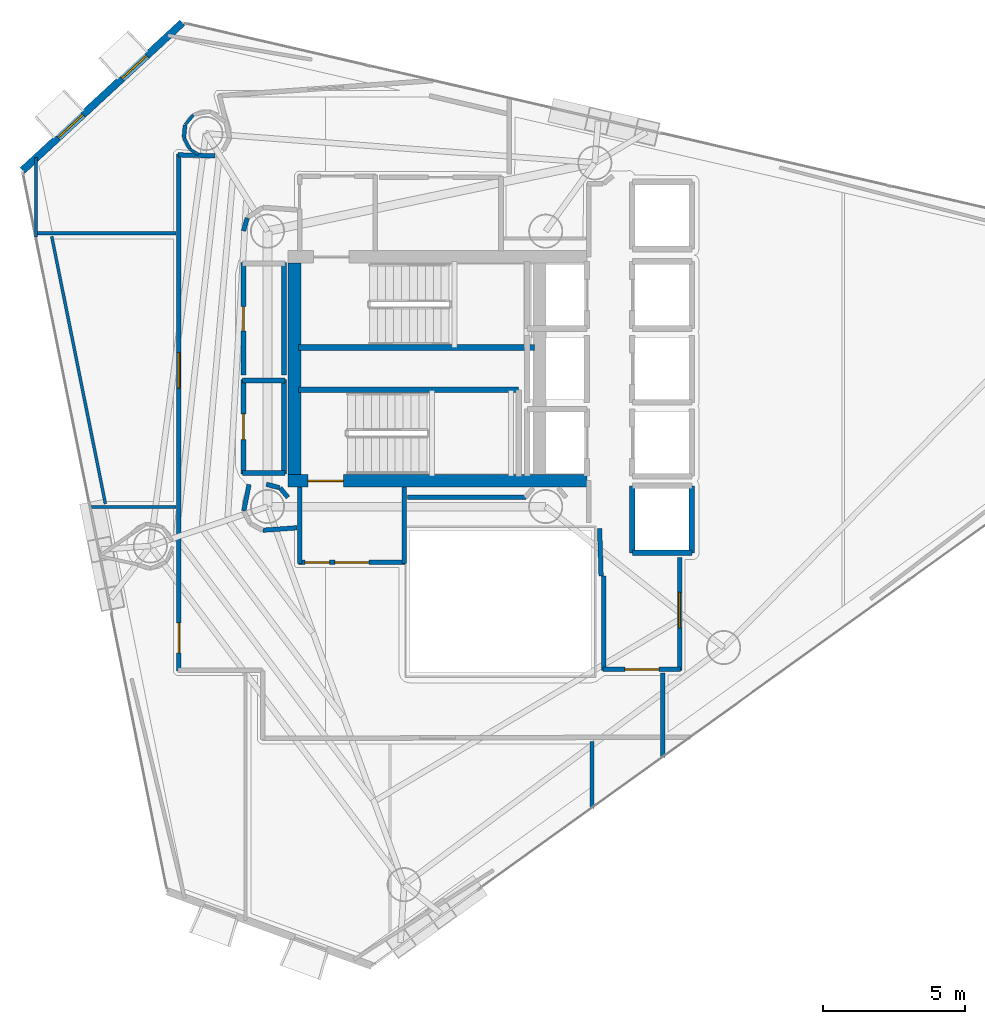
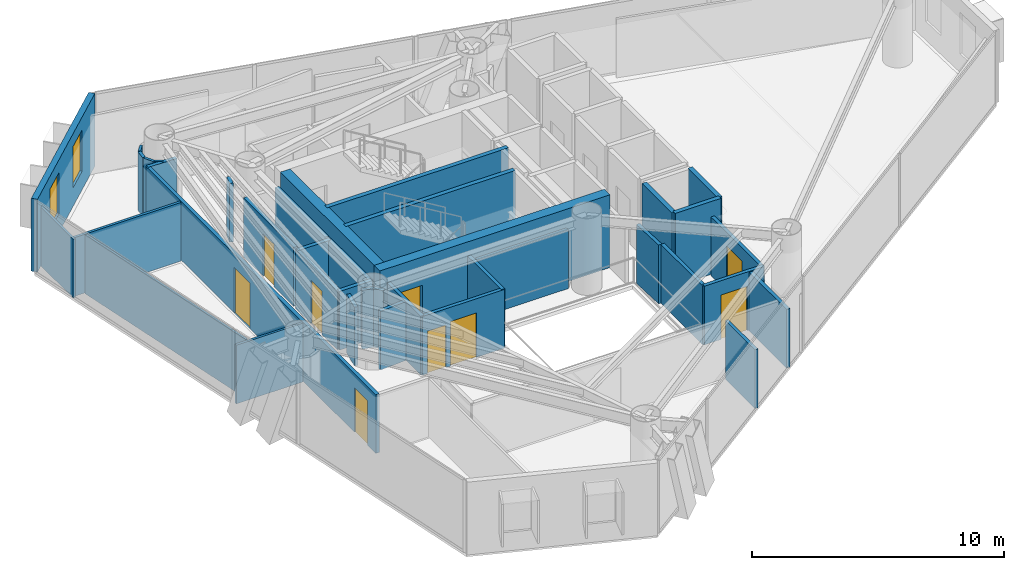
# One storey, part 17 of 22: 39 walls, 9 doors, 2 windows, 11 openings.
"""IFC4 building model written with IfcOpenShell, lengths in metres."""

from ifc_helpers import new_model, si_unit, direction, frame, frame_2d, origin, place, context, subcontext, project, spatial, rectangle, extrude, material, layer, layer_set, type_object, element, fill, save


model = new_model("IFC4")

# Units and contexts
model_context = context("Model", 3, precision=1e-05, world=origin(), true_north=direction((0.0, 1.0)))
body_context = subcontext(model_context, "Body", "Model", "MODEL_VIEW")
ifc_project = project(units=[si_unit("LENGTHUNIT", "METRE"), si_unit("AREAUNIT", "SQUARE_METRE"), si_unit("VOLUMEUNIT", "CUBIC_METRE"), si_unit("PLANEANGLEUNIT", "RADIAN"), si_unit("MASSUNIT", "GRAM", prefix="KILO")], contexts=[model_context])

# Site, building, storey
site_placement = place(None, origin())
site = spatial("IfcSite", under=ifc_project, at=site_placement, CompositionType="ELEMENT")
building_placement = place(site_placement, origin())
building = spatial("IfcBuilding", under=site, at=building_placement, Name="Qianvela Tower", CompositionType="ELEMENT")
storey_placement = place(building_placement, frame((0.0, 0.0, 200.300048828125)))
storey = spatial("IfcBuildingStorey", under=building, at=storey_placement, Name="L51", CompositionType="ELEMENT", Elevation=200.300048828125)

# Wall, openings, windows
ifc_material_1 = material(Name="Terracotta Cladding on Concrete C40", Category="masonry")
ifc_layer_1 = layer(ifc_material_1, 0.260009765625)
ifc_layer_set_1 = layer_set([ifc_layer_1], Name="Terracotta Cladding on Concrete C40")
wall_type_1 = type_object("IfcWallType", Name="TERRACOTTA-WALL-260", PredefinedType="SOLIDWALL", material=ifc_layer_set_1)
wall_1_placement = place(storey_placement, frame((25.60107421875, 40.89306640625, 0.0), z_axis=(0.0, 0.0, 1.0), x_axis=(-0.734371177533, -0.678748092896, 0.0)))
wall_1 = element("IfcWall", 1, at=wall_1_placement, inside=storey, type_object=wall_type_1, Name="L51 Terracotta Chamfer Facet Wall 3", PredefinedType="SOLIDWALL", context=body_context, shape_type="SweptSolid", body=[
    extrude(rectangle(XDim=7.66796875, YDim=0.260009765625, at=frame_2d((3.833984375, 0.0))), origin(), (0.0, 0.0, 1.0), 3.52001953125),
])
opening_1_placement = place(wall_1_placement, frame((1.700439453125, 0.0, 0.89990234375)))
opening_1 = element("IfcOpeningElement", 2, at=opening_1_placement, cuts=wall_1, Name="Opening W-03", PredefinedType="OPENING", context=body_context, shape_type="SweptSolid", body=[
    extrude(rectangle(XDim=1.199951171875, YDim=2.0, at=frame_2d((0.60009765625, 1.0))), frame((0.0, 0.139892578125, 0.0), z_axis=(0.0, -1.0, 0.0), x_axis=(1.0, 0.0, 0.0)), (0.0, 0.0, 1.0), 0.280029296875),
])
opening_2_placement = place(wall_1_placement, frame((4.767578125, 0.0, 0.89990234375)))
opening_2 = element("IfcOpeningElement", 3, at=opening_2_placement, cuts=wall_1, Name="Opening W-03", PredefinedType="OPENING", context=body_context, shape_type="SweptSolid", body=[
    extrude(rectangle(XDim=1.199951171875, YDim=2.0, at=frame_2d((0.60009765625, 1.0))), frame((0.0, 0.139892578125, 0.0), z_axis=(0.0, -1.0, 0.0), x_axis=(1.0, 0.0, 0.0)), (0.0, 0.0, 1.0), 0.280029296875),
])
ifc_material_2 = material(Name="Thermally Broken Aluminium and Low-E Glass", Category="aluminium")
window_type = type_object("IfcWindowType", Name="WIN-TC-1200x2000", PartitioningType="SINGLE_PANEL", PredefinedType="WINDOW", material=ifc_material_2)
window_1_placement = place(opening_1_placement, origin())
window_1 = element("IfcWindow", 4, at=window_1_placement, inside=storey, type_object=window_type, Name="L51 Chamfer Facet Window 3.1", OverallHeight=2.0, OverallWidth=1.199951171875, PartitioningType="SINGLE_PANEL", PredefinedType="WINDOW", context=body_context, shape_type="SweptSolid", body=[
    extrude(rectangle(XDim=1.199951171875, YDim=2.0, at=frame_2d((0.60009765625, 1.0))), frame((0.0, 0.030029296875, 0.0), z_axis=(0.0, -1.0, 0.0), x_axis=(1.0, 0.0, 0.0)), (0.0, 0.0, 1.0), 0.06005859375),
])
fill(opening_1, window_1)
window_2_placement = place(opening_2_placement, origin())
window_2 = element("IfcWindow", 5, at=window_2_placement, inside=storey, type_object=window_type, Name="L51 Chamfer Facet Window 3.2", OverallHeight=2.0, OverallWidth=1.199951171875, PartitioningType="SINGLE_PANEL", PredefinedType="WINDOW", context=body_context, shape_type="SweptSolid", body=[
    extrude(rectangle(XDim=1.199951171875, YDim=2.0, at=frame_2d((0.60009765625, 1.0))), frame((0.0, 0.030029296875, 0.0), z_axis=(0.0, -1.0, 0.0), x_axis=(1.0, 0.0, 0.0)), (0.0, 0.0, 1.0), 0.06005859375),
])
fill(opening_2, window_2)

# Wall, opening, door
ifc_material_3 = material(Name="Concrete C50", Category="concrete")
ifc_layer_2 = layer(ifc_material_3, 0.449951171875)
ifc_layer_set_2 = layer_set([ifc_layer_2], Name="Concrete C50")
wall_type_2 = type_object("IfcWallType", Name="WT-CORE-450", PredefinedType="SHEAR", material=ifc_layer_set_2)
wall_2_placement = place(storey_placement, frame((29.330078125, 24.7548828125, 0.0), z_axis=(0.0, 0.0, 1.0), x_axis=(1.0, 0.0, 0.0)))
wall_2 = element("IfcWall", 6, at=wall_2_placement, inside=storey, type_object=wall_type_2, Name="L51 South Core Shear Wall", PredefinedType="SHEAR", context=body_context, shape_type="SweptSolid", body=[
    extrude(rectangle(XDim=10.52001953125, YDim=0.449951171875, at=frame_2d((5.260009765625, 0.0))), origin(), (0.0, 0.0, 1.0), 3.52001953125),
])
opening_3_placement = place(wall_2_placement, frame((0.695068359375, 0.0, 0.0)))
opening_3 = element("IfcOpeningElement", 7, at=opening_3_placement, cuts=wall_2, Name="Opening D-ST1", PredefinedType="OPENING", context=body_context, shape_type="SweptSolid", body=[
    extrude(rectangle(XDim=1.25, YDim=2.14990234375, at=frame_2d((0.625, 1.074951171875))), frame((0.0, 0.23486328125, 0.0), z_axis=(0.0, -1.0, 0.0), x_axis=(1.0, 0.0, 0.0)), (0.0, 0.0, 1.0), 0.469970703125),
])
ifc_material_4 = material(Name="Galvanised Fire Steel Q355B", Category="steel")
door_type_1 = type_object("IfcDoorType", Name="DT-STAIR-FD90", OperationType="NOTDEFINED", PredefinedType="DOOR", material=ifc_material_4)
door_1_placement = place(opening_3_placement, origin())
door_1 = element("IfcDoor", 8, at=door_1_placement, inside=storey, type_object=door_type_1, Name="L51 Stair ST-2 Exit Door", OperationType="SINGLE_SWING_RIGHT", OverallHeight=2.14990234375, OverallWidth=1.25, PredefinedType="DOOR", context=body_context, shape_type="SweptSolid", body=[
    extrude(rectangle(XDim=1.25, YDim=2.14990234375, at=frame_2d((0.625, 1.074951171875))), frame((0.0, 0.02490234375, 0.0), z_axis=(0.0, -1.0, 0.0), x_axis=(1.0, 0.0, 0.0)), (0.0, 0.0, 1.0), 0.050048828125),
])
fill(opening_3, door_1)

# Wall
wall_3_placement = place(storey_placement, frame((29.554931640625, 24.97998046875, 0.0), z_axis=(0.0, 0.0, 1.0), x_axis=(0.0, 1.0, 0.0)))
element("IfcWall", 9, at=wall_3_placement, inside=storey, type_object=wall_type_2, Name="L51 West Core Shear Wall", PredefinedType="SHEAR", context=body_context, shape_type="SweptSolid", body=[
    extrude(rectangle(XDim=7.43994140625, YDim=0.449951171875, at=frame_2d((3.719970703125, 0.0))), origin(), (0.0, 0.0, 1.0), 3.52001953125),
])

# Wall, openings, doors
ifc_material_5 = material(Name="Fire-Rated Gypsum and Concrete Block", Category="concrete")
ifc_layer_3 = layer(ifc_material_5, 0.159912109375)
ifc_layer_set_3 = layer_set([ifc_layer_3], Name="Fire-Rated Gypsum and Concrete Block")
wall_type_3 = type_object("IfcWallType", Name="WT-CORR-160", PredefinedType="PARTITIONING", material=ifc_layer_set_3)
wall_4_placement = place(storey_placement, frame((33.449951171875, 21.881103515625, 0.0), z_axis=(0.0, 0.0, 1.0), x_axis=(-1.0, 0.0, 0.0)))
wall_4 = element("IfcWall", 10, at=wall_4_placement, inside=storey, type_object=wall_type_3, Name="L51 Partition 5", PredefinedType="PARTITIONING", context=body_context, shape_type="SweptSolid", body=[
    extrude(rectangle(XDim=3.75, YDim=0.159912109375, at=frame_2d((1.875, 0.0))), origin(), (0.0, 0.0, 1.0), 2.83984375),
])
opening_4_placement = place(wall_4_placement, frame((1.27490234375, 0.0, 0.0)))
opening_4 = element("IfcOpeningElement", 11, at=opening_4_placement, cuts=wall_4, Name="Opening D-LB1", PredefinedType="OPENING", context=body_context, shape_type="SweptSolid", body=[
    extrude(rectangle(XDim=1.199951171875, YDim=2.14990234375, at=frame_2d((0.60009765625, 1.074951171875))), frame((0.0, 0.08984375, 0.0), z_axis=(0.0, -1.0, 0.0), x_axis=(1.0, 0.0, 0.0)), (0.0, 0.0, 1.0), 0.179931640625),
])
opening_5_placement = place(wall_4_placement, frame((2.659912109375, 0.0, 0.0)))
opening_5 = element("IfcOpeningElement", 12, at=opening_5_placement, cuts=wall_4, Name="Opening D-LB2", PredefinedType="OPENING", context=body_context, shape_type="SweptSolid", body=[
    extrude(rectangle(XDim=0.860107421875, YDim=2.050048828125, at=frame_2d((0.43017578125, 1.02490234375))), frame((0.0, 0.08984375, 0.0), z_axis=(0.0, -1.0, 0.0), x_axis=(1.0, 0.0, 0.0)), (0.0, 0.0, 1.0), 0.179931640625),
])
ifc_material_6 = material(Name="Glazed Fire-Rated Steel Frame", Category="steel")
door_type_2 = type_object("IfcDoorType", Name="DT-LOBBY-FD90", OperationType="NOTDEFINED", PredefinedType="DOOR", material=ifc_material_6)
door_2_placement = place(opening_4_placement, origin())
door_2 = element("IfcDoor", 13, at=door_2_placement, inside=storey, type_object=door_type_2, Name="L51 Door L51 Firefighting Lobby South to L51 Floor Corridor", OperationType="SINGLE_SWING_LEFT", OverallHeight=2.14990234375, OverallWidth=1.199951171875, PredefinedType="DOOR", context=body_context, shape_type="SweptSolid", body=[
    extrude(rectangle(XDim=1.199951171875, YDim=2.14990234375, at=frame_2d((0.60009765625, 1.074951171875))), frame((0.0, 0.02490234375, 0.0), z_axis=(0.0, -1.0, 0.0), x_axis=(1.0, 0.0, 0.0)), (0.0, 0.0, 1.0), 0.050048828125),
])
fill(opening_4, door_2)
ifc_material_7 = material(Name="Insulated Steel Fire Door Q355B", Category="steel")
door_type_3 = type_object("IfcDoorType", Name="DT-LOBBY-FD90-860", OperationType="NOTDEFINED", PredefinedType="DOOR", material=ifc_material_7)
door_3_placement = place(opening_5_placement, origin())
door_3 = element("IfcDoor", 14, at=door_3_placement, inside=storey, type_object=door_type_3, Name="L51 Door L51 Firefighting Lobby South to L51 Floor Corridor", OperationType="SINGLE_SWING_RIGHT", OverallHeight=2.050048828125, OverallWidth=0.860107421875, PredefinedType="DOOR", context=body_context, shape_type="SweptSolid", body=[
    extrude(rectangle(XDim=0.860107421875, YDim=2.050048828125, at=frame_2d((0.43017578125, 1.02490234375))), frame((0.0, 0.02490234375, 0.0), z_axis=(0.0, -1.0, 0.0), x_axis=(1.0, 0.0, 0.0)), (0.0, 0.0, 1.0), 0.050048828125),
])
fill(opening_5, door_3)

# Walls
for number, where, z_axis, x_axis, name in (
    (15, (29.73095703125, 21.85009765625, 0.0), (0.0, 0.0, 1.0), (0.0, 1.0, 0.0), "L51 Partition 6"),
    (16, (33.4189453125, 24.5419921875, 0.0), (0.0, 0.0, 1.0), (0.0, -1.0, 0.0), "L51 Partition 8"),
):
    element("IfcWall", number, at=place(storey_placement, frame(where, z_axis=z_axis, x_axis=x_axis)), inside=storey, type_object=wall_type_3, Name=name, PredefinedType="PARTITIONING", context=body_context, shape_type="SweptSolid", body=[
        extrude(rectangle(XDim=2.69189453125, YDim=0.159912109375, at=frame_2d((1.345947265625, 0.0))), origin(), (0.0, 0.0, 1.0), 2.83984375),
    ])
wall_5_placement = place(storey_placement, frame((40.35107421875, 21.40087890625, 0.0), z_axis=(0.0, 0.0, 1.0), x_axis=(-0.031058045979, 0.999517582527, 0.0)))
element("IfcWall", 17, at=wall_5_placement, inside=storey, type_object=wall_type_3, Name="L51 Partition 9", PredefinedType="PARTITIONING", context=body_context, shape_type="SweptSolid", body=[
    extrude(rectangle(XDim=1.68212890625, YDim=0.159912109375, at=frame_2d((0.841064453125, 0.0))), origin(), (0.0, 0.0, 1.0), 2.83984375),
])

# Wall, opening, door
wall_6_placement = place(storey_placement, frame((43.118896484375, 22.050048828125, 0.0), z_axis=(0.0, 0.0, 1.0), x_axis=(0.0, -1.0, 0.0)))
wall_6 = element("IfcWall", 18, at=wall_6_placement, inside=storey, type_object=wall_type_3, Name="L51 Partition 17", PredefinedType="PARTITIONING", context=body_context, shape_type="SweptSolid", body=[
    extrude(rectangle(XDim=3.969970703125, YDim=0.159912109375, at=frame_2d((1.98486328125, 0.0))), origin(), (0.0, 0.0, 1.0), 2.83984375),
])
opening_6_placement = place(wall_6_placement, frame((1.219970703125, 0.0, 0.0)))
opening_6 = element("IfcOpeningElement", 19, at=opening_6_placement, cuts=wall_6, Name="Opening D-LG1", PredefinedType="OPENING", context=body_context, shape_type="SweptSolid", body=[
    extrude(rectangle(XDim=1.25, YDim=2.199951171875, at=frame_2d((0.625, 1.10009765625))), frame((0.0, 0.08984375, 0.0), z_axis=(0.0, -1.0, 0.0), x_axis=(1.0, 0.0, 0.0)), (0.0, 0.0, 1.0), 0.179931640625),
])
ifc_material_8 = material(Name="Anodised Aluminium Acoustic Glass Door", Category="aluminium")
door_type_4 = type_object("IfcDoorType", Name="DT-LOUNGE-1250", OperationType="NOTDEFINED", PredefinedType="DOOR", material=ifc_material_8)
door_4_placement = place(opening_6_placement, origin())
door_4 = element("IfcDoor", 20, at=door_4_placement, inside=storey, type_object=door_type_4, Name="L51 Door Collaborative Co-working Office L51-02 to L51 Lift Lobby", OperationType="SINGLE_SWING_LEFT", OverallHeight=2.199951171875, OverallWidth=1.25, PredefinedType="DOOR", context=body_context, shape_type="SweptSolid", body=[
    extrude(rectangle(XDim=1.25, YDim=2.199951171875, at=frame_2d((0.625, 1.10009765625))), frame((0.0, 0.02490234375, 0.0), z_axis=(0.0, -1.0, 0.0), x_axis=(1.0, 0.0, 0.0)), (0.0, 0.0, 1.0), 0.050048828125),
])
fill(opening_6, door_4)

wall_7_placement = place(storey_placement, frame((43.14990234375, 18.111083984375, 0.0), z_axis=(0.0, 0.0, 1.0), x_axis=(-1.0, 0.0, 0.0)))
wall_7 = element("IfcWall", 21, at=wall_7_placement, inside=storey, type_object=wall_type_3, Name="L51 Partition 18", PredefinedType="PARTITIONING", context=body_context, shape_type="SweptSolid", body=[
    extrude(rectangle(XDim=2.72998046875, YDim=0.159912109375, at=frame_2d((1.364990234375, 0.0))), origin(), (0.0, 0.0, 1.0), 2.83984375),
])
opening_7_placement = place(wall_7_placement, frame((0.764892578125, 0.0, 0.0)))
opening_7 = element("IfcOpeningElement", 22, at=opening_7_placement, cuts=wall_7, Name="Opening D-LB1", PredefinedType="OPENING", context=body_context, shape_type="SweptSolid", body=[
    extrude(rectangle(XDim=1.199951171875, YDim=2.14990234375, at=frame_2d((0.60009765625, 1.074951171875))), frame((0.0, 0.08984375, 0.0), z_axis=(0.0, -1.0, 0.0), x_axis=(1.0, 0.0, 0.0)), (0.0, 0.0, 1.0), 0.179931640625),
])
door_5_placement = place(opening_7_placement, origin())
door_5 = element("IfcDoor", 23, at=door_5_placement, inside=storey, type_object=door_type_2, Name="L51 Door L51 Lift Lobby to L51 Floor Corridor", OperationType="SINGLE_SWING_RIGHT", OverallHeight=2.14990234375, OverallWidth=1.199951171875, PredefinedType="DOOR", context=body_context, shape_type="SweptSolid", body=[
    extrude(rectangle(XDim=1.199951171875, YDim=2.14990234375, at=frame_2d((0.60009765625, 1.074951171875))), frame((0.0, 0.02490234375, 0.0), z_axis=(0.0, -1.0, 0.0), x_axis=(1.0, 0.0, 0.0)), (0.0, 0.0, 1.0), 0.050048828125),
])
fill(opening_7, door_5)

# Walls
wall_8_placement = place(storey_placement, frame((40.450927734375, 18.080078125, 0.0), z_axis=(0.0, 0.0, 1.0), x_axis=(0.0, 1.0, 0.0)))
element("IfcWall", 24, at=wall_8_placement, inside=storey, type_object=wall_type_3, Name="L51 Partition 19 seg 1", PredefinedType="PARTITIONING", context=body_context, shape_type="SweptSolid", body=[
    extrude(rectangle(XDim=3.31982421875, YDim=0.159912109375, at=frame_2d((1.659912109375, 0.0))), origin(), (0.0, 0.0, 1.0), 2.83984375),
])
wall_9_placement = place(storey_placement, frame((29.321044921875, 24.169921875, 0.0), z_axis=(0.0, 0.0, 1.0), x_axis=(-0.638008265708, 0.770029514296, 0.0)))
element("IfcWall", 25, at=wall_9_placement, inside=storey, type_object=wall_type_3, Name="L51 Partition 36", PredefinedType="PARTITIONING", context=body_context, shape_type="SweptSolid", body=[
    extrude(rectangle(XDim=0.430908203125, YDim=0.159912109375, at=frame_2d((0.21533203125, 0.0))), origin(), (0.0, 0.0, 1.0), 2.83984375),
])
wall_10_placement = place(storey_placement, frame((29.030029296875, 24.511962890625, 0.0), z_axis=(0.0, 0.0, 1.0), x_axis=(-0.967681003213, 0.252177469296, 0.0)))
element("IfcWall", 26, at=wall_10_placement, inside=storey, type_object=wall_type_3, Name="L51 Partition 37", PredefinedType="PARTITIONING", context=body_context, shape_type="SweptSolid", body=[
    extrude(rectangle(XDim=0.488037109375, YDim=0.159912109375, at=frame_2d((0.244140625, 0.0))), origin(), (0.0, 0.0, 1.0), 2.83984375),
])
wall_11_placement = place(storey_placement, frame((37.70263671875, 24.180908203125, 0.0), z_axis=(0.0, 0.0, 1.0), x_axis=(-1.0, 0.0, 0.0)))
element("IfcWall", 27, at=wall_11_placement, inside=storey, type_object=wall_type_3, Name="L51 Partition 49", PredefinedType="PARTITIONING", context=body_context, shape_type="SweptSolid", body=[
    extrude(rectangle(XDim=4.172607421875, YDim=0.159912109375, at=frame_2d((2.08642578125, 0.0))), origin(), (0.0, 0.0, 1.0), 2.83984375),
])
wall_12_placement = place(storey_placement, frame((27.888427734375, 34.0146484375, 0.0), z_axis=(0.0, 0.0, 1.0), x_axis=(-0.290263585829, -0.956946733492, 0.0)))
element("IfcWall", 28, at=wall_12_placement, inside=storey, type_object=wall_type_3, Name="L51 Partition 58", PredefinedType="PARTITIONING", context=body_context, shape_type="SweptSolid", body=[
    extrude(rectangle(XDim=0.47607421875, YDim=0.159912109375, at=frame_2d((0.238037109375, 0.0))), origin(), (0.0, 0.0, 1.0), 2.83984375),
])
wall_13_placement = place(storey_placement, frame((27.950439453125, 24.626220703125, 0.0), z_axis=(0.0, 0.0, 1.0), x_axis=(-0.195125950178, -0.980778192848, 0.0)))
element("IfcWall", 29, at=wall_13_placement, inside=storey, type_object=wall_type_3, Name="L51 Partition 62", PredefinedType="PARTITIONING", context=body_context, shape_type="SweptSolid", body=[
    extrude(rectangle(XDim=0.948486328125, YDim=0.159912109375, at=frame_2d((0.47412109375, 0.0))), origin(), (0.0, 0.0, 1.0), 2.83984375),
])
wall_14_placement = place(storey_placement, frame((28.4423828125, 23.014892578125, 0.0), z_axis=(0.0, 0.0, 1.0), x_axis=(0.99740683837, 0.07196942943, 0.0)))
element("IfcWall", 30, at=wall_14_placement, inside=storey, type_object=wall_type_3, Name="L51 Partition 65", PredefinedType="PARTITIONING", context=body_context, shape_type="SweptSolid", body=[
    extrude(rectangle(XDim=1.200927734375, YDim=0.159912109375, at=frame_2d((0.6005859375, 0.0))), origin(), (0.0, 0.0, 1.0), 2.83984375),
])
wall_15_placement = place(storey_placement, frame((42.51904296875, 17.97998046875, 0.0), z_axis=(0.0, 0.0, 1.0), x_axis=(0.0, -1.0, 0.0)))
element("IfcWall", 31, at=wall_15_placement, inside=storey, type_object=wall_type_3, Name="L51 Partition 69", PredefinedType="PARTITIONING", context=body_context, shape_type="SweptSolid", body=[
    extrude(rectangle(XDim=2.969482421875, YDim=0.159912109375, at=frame_2d((1.48486328125, 0.0))), origin(), (0.0, 0.0, 1.0), 2.83984375),
])

# Wall, openings, doors
wall_16_placement = place(storey_placement, frame((25.48095703125, 18.050048828125, 0.0), z_axis=(0.0, 0.0, 1.0), x_axis=(0.0, 1.0, 0.0)))
wall_16 = element("IfcWall", 32, at=wall_16_placement, inside=storey, type_object=wall_type_3, Name="L51 Partition 73", PredefinedType="PARTITIONING", context=body_context, shape_type="SweptSolid", body=[
    extrude(rectangle(XDim=18.218505859375, YDim=0.159912109375, at=frame_2d((9.109375, 0.0))), origin(), (0.0, 0.0, 1.0), 2.83984375),
])
opening_8_placement = place(wall_16_placement, frame((0.6494140625, 0.0, 0.0)))
opening_8 = element("IfcOpeningElement", 33, at=opening_8_placement, cuts=wall_16, Name="Opening D-PL1", PredefinedType="OPENING", context=body_context, shape_type="SweptSolid", body=[
    extrude(rectangle(XDim=1.050048828125, YDim=2.14990234375, at=frame_2d((0.52490234375, 1.074951171875))), frame((0.0, 0.08984375, 0.0), z_axis=(0.0, -1.0, 0.0), x_axis=(1.0, 0.0, 0.0)), (0.0, 0.0, 1.0), 0.179931640625),
])
opening_9_placement = place(wall_16_placement, frame((9.97509765625, 0.0, 0.0)))
opening_9 = element("IfcOpeningElement", 34, at=opening_9_placement, cuts=wall_16, Name="Opening D-LG1", PredefinedType="OPENING", context=body_context, shape_type="SweptSolid", body=[
    extrude(rectangle(XDim=1.25, YDim=2.199951171875, at=frame_2d((0.625, 1.10009765625))), frame((0.0, 0.08984375, 0.0), z_axis=(0.0, -1.0, 0.0), x_axis=(1.0, 0.0, 0.0)), (0.0, 0.0, 1.0), 0.179931640625),
])
door_6_placement = place(opening_9_placement, origin())
door_6 = element("IfcDoor", 35, at=door_6_placement, inside=storey, type_object=door_type_4, Name="L51 Door Quiet Reading Study L51-04 to L51 Floor Corridor", OperationType="SINGLE_SWING_LEFT", OverallHeight=2.199951171875, OverallWidth=1.25, PredefinedType="DOOR", context=body_context, shape_type="SweptSolid", body=[
    extrude(rectangle(XDim=1.25, YDim=2.199951171875, at=frame_2d((0.625, 1.10009765625))), frame((0.0, 0.02490234375, 0.0), z_axis=(0.0, -1.0, 0.0), x_axis=(1.0, 0.0, 0.0)), (0.0, 0.0, 1.0), 0.050048828125),
])
fill(opening_9, door_6)
ifc_material_9 = material(Name="Insulated Steel Fire Door Q355B", Category="steel")
door_type_5 = type_object("IfcDoorType", Name="DT-PLANT-FD90", OperationType="NOTDEFINED", PredefinedType="DOOR", material=ifc_material_9)
door_7_placement = place(opening_8_placement, origin())
door_7 = element("IfcDoor", 36, at=door_7_placement, inside=storey, type_object=door_type_5, Name="L51 Door Digital Research Office L51-01 to L51 Floor Corridor", OperationType="SINGLE_SWING_RIGHT", OverallHeight=2.14990234375, OverallWidth=1.050048828125, PredefinedType="DOOR", context=body_context, shape_type="SweptSolid", body=[
    extrude(rectangle(XDim=1.050048828125, YDim=2.14990234375, at=frame_2d((0.52490234375, 1.074951171875))), frame((0.0, 0.02490234375, 0.0), z_axis=(0.0, -1.0, 0.0), x_axis=(1.0, 0.0, 0.0)), (0.0, 0.0, 1.0), 0.050048828125),
])
fill(opening_8, door_7)

# Walls
wall_17_placement = place(storey_placement, frame((25.44921875, 36.237548828125, 0.0), z_axis=(0.0, 0.0, 1.0), x_axis=(0.999651698073, -0.026390955635, 0.0)))
element("IfcWall", 37, at=wall_17_placement, inside=storey, type_object=wall_type_3, Name="L51 Partition 74", PredefinedType="PARTITIONING", context=body_context, shape_type="SweptSolid", body=[
    extrude(rectangle(XDim=1.295166015625, YDim=0.159912109375, at=frame_2d((0.6474609375, 0.0))), origin(), (0.0, 0.0, 1.0), 2.83984375),
])
ifc_material_10 = material(Name="Lightweight Gypsum Room Partition")
ifc_layer_4 = layer(ifc_material_10, 0.10498046875)
ifc_layer_set_4 = layer_set([ifc_layer_4], Name="Lightweight Gypsum Room Partition")
wall_type_4 = type_object("IfcWallType", Name="WT-PART-105", PredefinedType="PARTITIONING", material=ifc_layer_set_4)
wall_18_placement = place(storey_placement, frame((22.3330078125, 23.826904296875, 0.0), z_axis=(0.0, 0.0, 1.0), x_axis=(1.0, 0.0, 0.0)))
element("IfcWall", 38, at=wall_18_placement, inside=storey, type_object=wall_type_4, Name="L51 Partition 89", PredefinedType="PARTITIONING", context=body_context, shape_type="SweptSolid", body=[
    extrude(rectangle(XDim=3.037109375, YDim=0.10498046875, at=frame_2d((1.5185546875, 0.0))), origin(), (0.0, 0.0, 1.0), 2.83984375),
])
wall_19_placement = place(storey_placement, frame((25.98486328125, 37.6435546875, 0.0), z_axis=(0.0, 0.0, 1.0), x_axis=(-0.634562438402, -0.772871601088, 0.0)))
element("IfcWall", 39, at=wall_19_placement, inside=storey, type_object=wall_type_4, Name="L51 Partition 113", PredefinedType="PARTITIONING", context=body_context, shape_type="SweptSolid", body=[
    extrude(rectangle(XDim=0.44140625, YDim=0.10498046875, at=frame_2d((0.220703125, 0.0))), origin(), (0.0, 0.0, 1.0), 2.83984375),
])
wall_20_placement = place(storey_placement, frame((25.87744140625, 36.42822265625, 0.0), z_axis=(0.0, 0.0, 1.0), x_axis=(0.852322728649, -0.523016219853, 0.0)))
element("IfcWall", 40, at=wall_20_placement, inside=storey, type_object=wall_type_4, Name="L51 Partition 116", PredefinedType="PARTITIONING", context=body_context, shape_type="SweptSolid", body=[
    extrude(rectangle(XDim=0.34033203125, YDim=0.10498046875, at=frame_2d((0.170166015625, 0.0))), origin(), (0.0, 0.0, 1.0), 2.83984375),
])
wall_21_placement = place(storey_placement, frame((20.44189453125, 33.339599609375, 0.0), z_axis=(0.0, 0.0, 1.0), x_axis=(-0.000608960305, 0.999999814584, 0.0)))
element("IfcWall", 41, at=wall_21_placement, inside=storey, type_object=wall_type_4, Name="L51 Partition 119", PredefinedType="PARTITIONING", context=body_context, shape_type="SweptSolid", body=[
    extrude(rectangle(XDim=2.806396484375, YDim=0.10498046875, at=frame_2d((1.4033203125, 0.0))), origin(), (0.0, 0.0, 1.0), 2.83984375),
])
wall_22_placement = place(storey_placement, frame((22.890869140625, 23.947998046875, 0.0), z_axis=(0.0, 0.0, 1.0), x_axis=(-0.196981324141, 0.980407240865, 0.0)))
element("IfcWall", 42, at=wall_22_placement, inside=storey, type_object=wall_type_4, Name="L51 Partition 125", PredefinedType="PARTITIONING", context=body_context, shape_type="SweptSolid", body=[
    extrude(rectangle(XDim=9.604248046875, YDim=0.10498046875, at=frame_2d((4.80224609375, 0.0))), origin(), (0.0, 0.0, 1.0), 2.83984375),
])
ifc_material_11 = material(Name="Insulated Gypsum Stud Partition")
ifc_layer_5 = layer(ifc_material_11, 0.1201171875)
ifc_layer_set_5 = layer_set([ifc_layer_5], Name="Insulated Gypsum Stud Partition")
wall_type_5 = type_object("IfcWallType", Name="WT-PART-120", PredefinedType="PARTITIONING", material=ifc_layer_set_5)
wall_23_placement = place(storey_placement, frame((25.658203125, 36.8291015625, 0.0), z_axis=(0.0, 0.0, 1.0), x_axis=(0.471392110461, -0.881923737177, 0.0)))
element("IfcWall", 43, at=wall_23_placement, inside=storey, type_object=wall_type_5, Name="L51 Partition 115", PredefinedType="PARTITIONING", context=body_context, shape_type="SweptSolid", body=[
    extrude(rectangle(XDim=0.441162109375, YDim=0.1201171875, at=frame_2d((0.220703125, 0.0))), origin(), (0.0, 0.0, 1.0), 2.83984375),
])
wall_24_placement = place(storey_placement, frame((25.3701171875, 33.472900390625, 0.0), z_axis=(0.0, 0.0, 1.0), x_axis=(-1.0, 0.0, 0.0)))
element("IfcWall", 44, at=wall_24_placement, inside=storey, type_object=wall_type_5, Name="L51 Partition 118", PredefinedType="PARTITIONING", context=body_context, shape_type="SweptSolid", body=[
    extrude(rectangle(XDim=4.97509765625, YDim=0.1201171875, at=frame_2d((2.487548828125, 0.0))), origin(), (0.0, 0.0, 1.0), 2.83984375),
])

# Wall, opening, door
ifc_material_12 = material(Name="Moisture-Resistant Acoustic Plumbing Wall")
ifc_layer_6 = layer(ifc_material_12, 0.175048828125)
ifc_layer_set_6 = layer_set([ifc_layer_6], Name="Moisture-Resistant Acoustic Plumbing Wall")
wall_type_6 = type_object("IfcWallType", Name="WT-PLUMB-175", PredefinedType="PLUMBINGWALL", material=ifc_layer_set_6)
wall_25_placement = place(storey_placement, frame((27.7509765625, 25.0, 0.0), z_axis=(0.0, 0.0, 1.0), x_axis=(0.0, 1.0, 0.0)))
wall_25 = element("IfcWall", 45, at=wall_25_placement, inside=storey, type_object=wall_type_6, Name="L51 Partition 24", PredefinedType="PLUMBINGWALL", context=body_context, shape_type="SweptSolid", body=[
    extrude(rectangle(XDim=3.320068359375, YDim=0.175048828125, at=frame_2d((1.66015625, 0.0))), origin(), (0.0, 0.0, 1.0), 2.83984375),
])
opening_10_placement = place(wall_25_placement, frame((1.2099609375, 0.0, 0.0)))
opening_10 = element("IfcOpeningElement", 46, at=opening_10_placement, cuts=wall_25, Name="Opening D-KT1", PredefinedType="OPENING", context=body_context, shape_type="SweptSolid", body=[
    extrude(rectangle(XDim=0.89990234375, YDim=2.10009765625, at=frame_2d((0.449951171875, 1.050048828125))), frame((0.0, 0.097412109375, 0.0), z_axis=(0.0, -1.0, 0.0), x_axis=(1.0, 0.0, 0.0)), (0.0, 0.0, 1.0), 0.195068359375),
])
ifc_material_13 = material(Name="Glazed Timber Kitchen Door", Category="wood")
door_type_6 = type_object("IfcDoorType", Name="DT-KITCH-900", OperationType="NOTDEFINED", PredefinedType="DOOR", material=ifc_material_13)
door_8_placement = place(opening_10_placement, origin())
door_8 = element("IfcDoor", 47, at=door_8_placement, inside=storey, type_object=door_type_6, Name="L51 Door L51 Core Tea Pantry West to L51 Floor Corridor", OperationType="SINGLE_SWING_RIGHT", OverallHeight=2.10009765625, OverallWidth=0.89990234375, PredefinedType="DOOR", context=body_context, shape_type="SweptSolid", body=[
    extrude(rectangle(XDim=0.89990234375, YDim=2.10009765625, at=frame_2d((0.449951171875, 1.050048828125))), frame((0.0, 0.02490234375, 0.0), z_axis=(0.0, -1.0, 0.0), x_axis=(1.0, 0.0, 0.0)), (0.0, 0.0, 1.0), 0.050048828125),
])
fill(opening_10, door_8)

# Walls
wall_26_placement = place(storey_placement, frame((27.719970703125, 28.2890625, 0.0), z_axis=(0.0, 0.0, 1.0), x_axis=(1.0, 0.0, 0.0)))
element("IfcWall", 48, at=wall_26_placement, inside=storey, type_object=wall_type_6, Name="L51 Partition 25", PredefinedType="PLUMBINGWALL", context=body_context, shape_type="SweptSolid", body=[
    extrude(rectangle(XDim=1.5, YDim=0.175048828125, at=frame_2d((0.75, 0.0))), origin(), (0.0, 0.0, 1.0), 2.83984375),
])
wall_27_placement = place(storey_placement, frame((29.18896484375, 28.320068359375, 0.0), z_axis=(0.0, 0.0, 1.0), x_axis=(0.0, -1.0, 0.0)))
element("IfcWall", 49, at=wall_27_placement, inside=storey, type_object=wall_type_6, Name="L51 Partition 26", PredefinedType="PLUMBINGWALL", context=body_context, shape_type="SweptSolid", body=[
    extrude(rectangle(XDim=3.320068359375, YDim=0.175048828125, at=frame_2d((1.66015625, 0.0))), origin(), (0.0, 0.0, 1.0), 2.83984375),
])
wall_28_placement = place(storey_placement, frame((29.219970703125, 25.031005859375, 0.0), z_axis=(0.0, 0.0, 1.0), x_axis=(-1.0, 0.0, 0.0)))
element("IfcWall", 50, at=wall_28_placement, inside=storey, type_object=wall_type_6, Name="L51 Partition 27", PredefinedType="PLUMBINGWALL", context=body_context, shape_type="SweptSolid", body=[
    extrude(rectangle(XDim=1.5, YDim=0.175048828125, at=frame_2d((0.75, 0.0))), origin(), (0.0, 0.0, 1.0), 2.83984375),
])

# Wall, opening, door
wall_29_placement = place(storey_placement, frame((27.7509765625, 28.47998046875, 0.0), z_axis=(0.0, 0.0, 1.0), x_axis=(0.0, 1.0, 0.0)))
wall_29 = element("IfcWall", 51, at=wall_29_placement, inside=storey, type_object=wall_type_6, Name="L51 Partition 28", PredefinedType="PLUMBINGWALL", context=body_context, shape_type="SweptSolid", body=[
    extrude(rectangle(XDim=3.969970703125, YDim=0.175048828125, at=frame_2d((1.98486328125, 0.0))), origin(), (0.0, 0.0, 1.0), 2.83984375),
])
opening_11_placement = place(wall_29_placement, frame((1.554931640625, 0.0, 0.0)))
opening_11 = element("IfcOpeningElement", 52, at=opening_11_placement, cuts=wall_29, Name="Opening D-WC1", PredefinedType="OPENING", context=body_context, shape_type="SweptSolid", body=[
    extrude(rectangle(XDim=0.860107421875, YDim=2.050048828125, at=frame_2d((0.43017578125, 1.02490234375))), frame((0.0, 0.097412109375, 0.0), z_axis=(0.0, -1.0, 0.0), x_axis=(1.0, 0.0, 0.0)), (0.0, 0.0, 1.0), 0.195068359375),
])
ifc_material_14 = material(Name="Moisture-Sealed Acoustic Timber Door", Category="wood")
door_type_7 = type_object("IfcDoorType", Name="DT-WC-860", OperationType="NOTDEFINED", PredefinedType="DOOR", material=ifc_material_14)
door_9_placement = place(opening_11_placement, origin())
door_9 = element("IfcDoor", 53, at=door_9_placement, inside=storey, type_object=door_type_7, Name="L51 Door L51 Accessible WC to L51 Floor Corridor", OperationType="SINGLE_SWING_LEFT", OverallHeight=2.050048828125, OverallWidth=0.860107421875, PredefinedType="DOOR", context=body_context, shape_type="SweptSolid", body=[
    extrude(rectangle(XDim=0.860107421875, YDim=2.050048828125, at=frame_2d((0.43017578125, 1.02490234375))), frame((0.0, 0.02490234375, 0.0), z_axis=(0.0, -1.0, 0.0), x_axis=(1.0, 0.0, 0.0)), (0.0, 0.0, 1.0), 0.050048828125),
])
fill(opening_11, door_9)

# Walls
wall_30_placement = place(storey_placement, frame((29.18896484375, 32.449951171875, 0.0), z_axis=(0.0, 0.0, 1.0), x_axis=(0.0, -1.0, 0.0)))
element("IfcWall", 54, at=wall_30_placement, inside=storey, type_object=wall_type_6, Name="L51 Partition 30", PredefinedType="PLUMBINGWALL", context=body_context, shape_type="SweptSolid", body=[
    extrude(rectangle(XDim=3.969970703125, YDim=0.175048828125, at=frame_2d((1.98486328125, 0.0))), origin(), (0.0, 0.0, 1.0), 2.83984375),
])
ifc_material_15 = material(Name="Acoustic Double Gypsum Stud Partition")
ifc_layer_7 = layer(ifc_material_15, 0.139892578125)
ifc_layer_set_7 = layer_set([ifc_layer_7], Name="Acoustic Double Gypsum Stud Partition")
wall_type_7 = type_object("IfcWallType", Name="WT-ROOM-140", PredefinedType="PARTITIONING", material=ifc_layer_set_7)
wall_31_placement = place(storey_placement, frame((25.697998046875, 37.285888671875, 0.0), z_axis=(0.0, 0.0, 1.0), x_axis=(-0.097915215421, -0.995194760129, 0.0)))
element("IfcWall", 55, at=wall_31_placement, inside=storey, type_object=wall_type_7, Name="L51 Partition 114", PredefinedType="PARTITIONING", context=body_context, shape_type="SweptSolid", body=[
    extrude(rectangle(XDim=0.44140625, YDim=0.139892578125, at=frame_2d((0.220703125, 0.0))), origin(), (0.0, 0.0, 1.0), 2.83984375),
])
wall_32_placement = place(storey_placement, frame((40.027099609375, 15.570068359375, 0.0), z_axis=(0.0, 0.0, 1.0), x_axis=(0.0, -1.0, 0.0)))
element("IfcWall", 56, at=wall_32_placement, inside=storey, type_object=wall_type_7, Name="L51 Partition 129", PredefinedType="PARTITIONING", context=body_context, shape_type="SweptSolid", body=[
    extrude(rectangle(XDim=2.35107421875, YDim=0.139892578125, at=frame_2d((1.175537109375, 0.0))), origin(), (0.0, 0.0, 1.0), 2.83984375),
])
ifc_material_16 = material(Name="Concrete C50", Category="concrete")
ifc_layer_8 = layer(ifc_material_16, 0.199951171875)
ifc_layer_set_8 = layer_set([ifc_layer_8], Name="Concrete C50")
wall_type_8 = type_object("IfcWallType", Name="WT-SHAFT-200", PredefinedType="SOLIDWALL", material=ifc_layer_set_8)
wall_33_placement = place(storey_placement, frame((29.699951171875, 29.449951171875, 0.0), z_axis=(0.0, 0.0, 1.0), x_axis=(1.0, 0.0, 0.0)))
element("IfcWall", 57, at=wall_33_placement, inside=storey, type_object=wall_type_8, Name="L51 Stair ST-1 South Wall", PredefinedType="SOLIDWALL", context=body_context, shape_type="SweptSolid", body=[
    extrude(rectangle(XDim=8.300048828125, YDim=0.199951171875, at=frame_2d((4.14990234375, 0.0))), origin(), (0.0, 0.0, 1.0), 3.52001953125),
])
wall_34_placement = place(storey_placement, frame((29.699951171875, 27.9599609375, 0.0), z_axis=(0.0, 0.0, 1.0), x_axis=(1.0, 0.0, 0.0)))
element("IfcWall", 58, at=wall_34_placement, inside=storey, type_object=wall_type_8, Name="L51 Stair ST-2 North Wall", PredefinedType="SOLIDWALL", context=body_context, shape_type="SweptSolid", body=[
    extrude(rectangle(XDim=7.75, YDim=0.199951171875, at=frame_2d((3.875, 0.0))), origin(), (0.0, 0.0, 1.0), 3.52001953125),
])
for number, where, z_axis, x_axis, name in (
    (59, (43.550048828125, 22.219970703125, 0.0), (0.0, 0.0, 1.0), (0.0, 1.0, 0.0), "L51 Lift PL-H2 E Shaft Wall"),
    (60, (41.449951171875, 22.219970703125, 0.0), (0.0, 0.0, 1.0), (0.0, 1.0, 0.0), "L51 Lift PL-H2 W Shaft Wall"),
):
    element("IfcWall", number, at=place(storey_placement, frame(where, z_axis=z_axis, x_axis=x_axis)), inside=storey, type_object=wall_type_8, Name=name, PredefinedType="SOLIDWALL", context=body_context, shape_type="SweptSolid", body=[
        extrude(rectangle(XDim=2.360107421875, YDim=0.199951171875, at=frame_2d((1.18017578125, 0.0))), origin(), (0.0, 0.0, 1.0), 3.52001953125),
    ])
wall_35_placement = place(storey_placement, frame((41.449951171875, 22.219970703125, 0.0), z_axis=(0.0, 0.0, 1.0), x_axis=(1.0, 0.0, 0.0)))
element("IfcWall", 61, at=wall_35_placement, inside=storey, type_object=wall_type_8, Name="L51 Lift PL-H2 S Shaft Wall", PredefinedType="SOLIDWALL", context=body_context, shape_type="SweptSolid", body=[
    extrude(rectangle(XDim=2.10009765625, YDim=0.199951171875, at=frame_2d((1.050048828125, 0.0))), origin(), (0.0, 0.0, 1.0), 3.52001953125),
])

save(model, "model.ifc")
